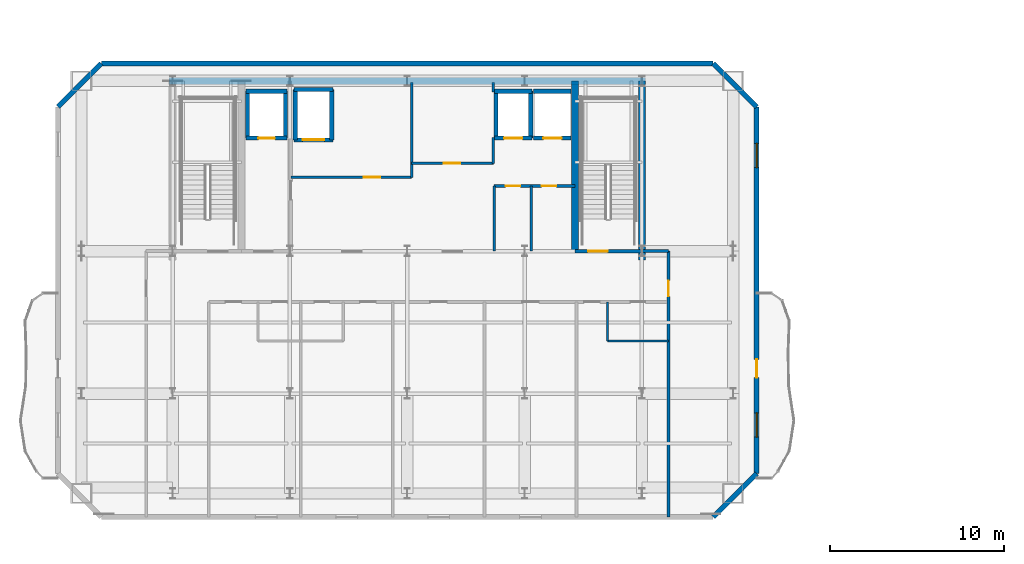
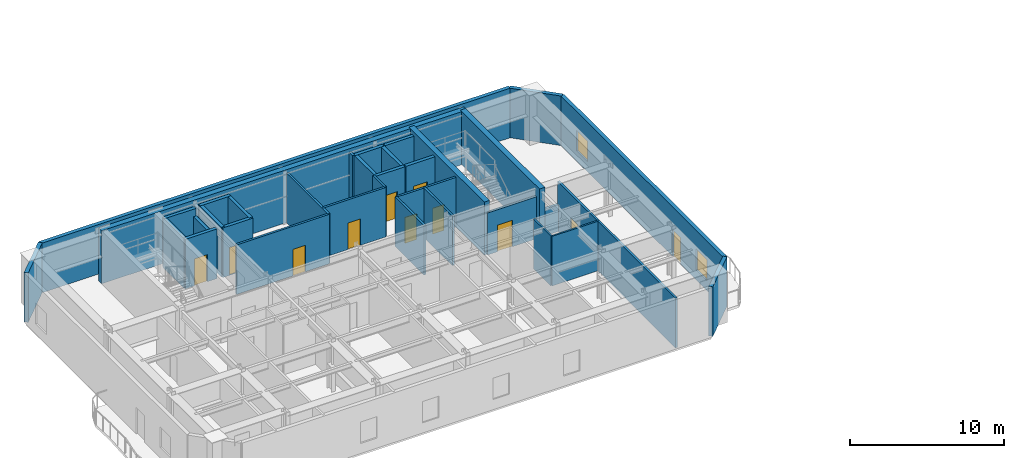
# One storey, part 11 of 16: 35 walls, 11 doors, 2 windows, 13 openings.
"""IFC4 building model written with IfcOpenShell, lengths in metres."""

import ifcopenshell
import ifcopenshell.guid

model = None  # the IFC model being written
_history = None  # IfcOwnerHistory: only IFC2X3 demands one
_inside = {}  # id of a spatial element -> (the spatial element, [elements in it])
_under = {}  # id of a project, library or spatial element -> (it, [spatial elements below it])
_declared = {}  # id of a project -> (the project, [libraries it declares])
_typed = {}  # id of a type object -> (the type object, [elements of that type])
_made_of = {}  # id of a material, layer set ... -> (it, [elements and type objects made of it])


def new_model(schema):
    """Start an empty IFC model of exactly this schema.

    Asked for "IFC4X3", IfcOpenShell would pick the latest addendum, in which some entities
    have other attributes; the version numbers below select the first issue.
    IFC2X3 requires an IfcOwnerHistory on every rooted entity: one is made here for all.
    """
    global model, _history
    if schema == "IFC4X3":
        model = ifcopenshell.file(schema_version=(4, 3, 0, 0))
    else:
        model = ifcopenshell.file(schema=schema)
    _inside.clear()
    _under.clear()
    _declared.clear()
    _typed.clear()
    _made_of.clear()
    _history = None
    if model.schema == "IFC2X3":
        org = make("IfcOrganization", Name="unknown")
        user = make(
            "IfcPersonAndOrganization",
            ThePerson=make("IfcPerson", FamilyName="unknown"),
            TheOrganization=org,
        )
        app = make(
            "IfcApplication",
            ApplicationDeveloper=org,
            Version="unknown",
            ApplicationFullName="unknown",
            ApplicationIdentifier="unknown",
        )
        _history = make(
            "IfcOwnerHistory",
            OwningUser=user,
            OwningApplication=app,
            ChangeAction="ADDED",
            CreationDate=0,
        )
    return model


def make(cls, **values):
    """One entity of the class cls with the attributes given. An attribute that is None is left unset."""
    return model.create_entity(
        cls, **{name: value for name, value in values.items() if value is not None}
    )


def rooted(cls, **values):
    """An entity with a GlobalId (a new one), such as an element, a storey or a relation."""
    return make(cls, GlobalId=ifcopenshell.guid.new(), OwnerHistory=_history, **values)


def si_unit(unit_type, name, prefix=None):
    """IfcSIUnit, for example si_unit("LENGTHUNIT", "METRE", prefix="MILLI")."""
    return make("IfcSIUnit", UnitType=unit_type, Prefix=prefix, Name=name)


def assignment(units):
    """IfcUnitAssignment: the units of a project."""
    return None if units is None else make("IfcUnitAssignment", Units=units)


def point(xyz):
    """IfcCartesianPoint."""
    return None if xyz is None else make("IfcCartesianPoint", Coordinates=xyz)


def direction(xyz):
    """IfcDirection."""
    return None if xyz is None else make("IfcDirection", DirectionRatios=xyz)


def frame(location, z_axis=None, x_axis=None):
    """IfcAxis2Placement3D, a coordinate frame: its origin and axes. An axis left out is left unset."""
    return make(
        "IfcAxis2Placement3D",
        Location=point(location),
        Axis=direction(z_axis),
        RefDirection=direction(x_axis),
    )


def frame_2d(location, x_axis=None):
    """IfcAxis2Placement2D, a coordinate frame in the plane: its origin and x axis."""
    return make(
        "IfcAxis2Placement2D", Location=point(location), RefDirection=direction(x_axis)
    )


def origin():
    """The frame at (0, 0, 0) with its axes left unset."""
    return frame((0.0, 0.0, 0.0))


def place(relative_to, where):
    """IfcLocalPlacement: puts the frame where relative to a parent placement (None: the world)."""
    return make(
        "IfcLocalPlacement", PlacementRelTo=relative_to, RelativePlacement=where
    )


def context(
    kind, dimensions, precision=None, world=None, true_north=None, identifier=None
):
    """IfcGeometricRepresentationContext, for example the 3D "Model" context."""
    return make(
        "IfcGeometricRepresentationContext",
        ContextIdentifier=identifier,
        ContextType=kind,
        CoordinateSpaceDimension=dimensions,
        Precision=precision,
        WorldCoordinateSystem=world,
        TrueNorth=true_north,
    )


def subcontext(parent, identifier, kind, view, scale=None):
    """IfcGeometricRepresentationSubContext, for example "Body" below "Model"."""
    return make(
        "IfcGeometricRepresentationSubContext",
        ContextIdentifier=identifier,
        ContextType=kind,
        ParentContext=parent,
        TargetScale=scale,
        TargetView=view,
    )


def project(units=None, contexts=None):
    """IfcProject with its units and contexts."""
    return rooted(
        "IfcProject",
        Name="project",
        RepresentationContexts=contexts,
        UnitsInContext=assignment(units),
    )


def spatial(cls, under=None, at=None, **own):
    """A site, building, storey or space (cls), placed at a placement, below another one or the project."""
    s = rooted(cls, ObjectPlacement=at, **own)
    if under is not None:
        _under.setdefault(under.id(), (under, []))[1].append(s)
    return s


def profile(cls, at=None, kind="AREA", **sizes):
    """A parametric profile (cls). Its sizes go by their IFC names, for example OverallWidth=200.0."""
    return make(cls, ProfileType=kind, Position=at, **sizes)


def rectangle(**sizes):
    """IfcRectangleProfileDef."""
    return profile("IfcRectangleProfileDef", **sizes)


def extrude(swept, where, along, depth):
    """IfcExtrudedAreaSolid: the profile swept, set in the frame where, extruded along a direction by depth."""
    return make(
        "IfcExtrudedAreaSolid",
        SweptArea=swept,
        Position=where,
        ExtrudedDirection=direction(along),
        Depth=depth,
    )


def shape(context_of_items, identifier, shape_type, items):
    """IfcShapeRepresentation: the items that make up one representation, for example the "Body"."""
    return make(
        "IfcShapeRepresentation",
        ContextOfItems=context_of_items,
        RepresentationIdentifier=identifier,
        RepresentationType=shape_type,
        Items=items,
    )


def material(Name=None, Category=None):
    """IfcMaterial."""
    return make("IfcMaterial", Name=Name, Category=Category)


def layer(
    of_material, thickness, ventilated=None, Name=None, Category=None, Priority=None
):
    """IfcMaterialLayer: one layer of a wall or slab, of a material (None: an air gap)."""
    return make(
        "IfcMaterialLayer",
        Material=of_material,
        LayerThickness=thickness,
        IsVentilated=ventilated,
        Name=Name,
        Category=Category,
        Priority=Priority,
    )


def layer_set(layers, Name=None):
    """IfcMaterialLayerSet."""
    return make("IfcMaterialLayerSet", MaterialLayers=layers, LayerSetName=Name)


def made_of(thing, what):
    """Note that an element or type object is made of a material, layer set ...; save() writes the relation."""
    if what is not None:
        _made_of.setdefault(what.id(), (what, []))[1].append(thing)
    return thing


def type_object(cls, material=None, **own):
    """A type object (cls), such as IfcWallType, which elements share."""
    return made_of(rooted(cls, **own), material)


def element(
    cls,
    number,
    at=None,
    inside=None,
    cuts=None,
    type_object=None,
    material=None,
    context=None,
    identifier="Body",
    shape_type=None,
    held_by="IfcProductDefinitionShape",
    body=None,
    shapes=None,
    **own,
):
    """One element of the class cls, such as IfcWall. Its Tag is "e" and its number.

    at: its placement. inside: the storey or other place that contains it. cuts: it is an
    opening in that element (IfcRelVoidsElement). A single representation is given by context,
    identifier, shape_type and body (its items); several are given by shapes. held_by: the class
    of the entity that holds the representations. save() writes the other relations.
    """
    e = rooted(cls, Tag="e%d" % number, ObjectPlacement=at, **own)
    if body is not None:
        shapes = [shape(context, identifier, shape_type, body)]
    if shapes is not None:
        e.Representation = make(held_by, Representations=shapes)
    if inside is not None:
        _inside.setdefault(inside.id(), (inside, []))[1].append(e)
    if cuts is not None:
        rooted(
            "IfcRelVoidsElement", RelatingBuildingElement=cuts, RelatedOpeningElement=e
        )
    if type_object is not None:
        _typed.setdefault(type_object.id(), (type_object, []))[1].append(e)
    return made_of(e, material)


def fill(opening, filler):
    """IfcRelFillsElement: the door or window that sits in an opening."""
    return rooted(
        "IfcRelFillsElement",
        RelatingOpeningElement=opening,
        RelatedBuildingElement=filler,
    )


def aggregate(whole, parts):
    """IfcRelAggregates: a whole, such as a stair, and the parts it consists of."""
    return rooted("IfcRelAggregates", RelatingObject=whole, RelatedObjects=parts)


def save(model, path):
    """Write the relations noted so far, then the file.

    IfcRelAggregates (storeys below a building ...), IfcRelContainedInSpatialStructure (elements
    in a storey), IfcRelDefinesByType, IfcRelAssociatesMaterial and IfcRelDeclares: one each for
    every whole, place, type object, material and project.
    """
    for whole, parts in _under.values():
        aggregate(whole, parts)
    for where, things in _inside.values():
        rooted(
            "IfcRelContainedInSpatialStructure",
            RelatedElements=things,
            RelatingStructure=where,
        )
    for kind, things in _typed.values():
        rooted("IfcRelDefinesByType", RelatedObjects=things, RelatingType=kind)
    for what, things in _made_of.values():
        rooted("IfcRelAssociatesMaterial", RelatedObjects=things, RelatingMaterial=what)
    for by, libraries in _declared.values():
        rooted("IfcRelDeclares", RelatingContext=by, RelatedDefinitions=libraries)
    model.write(path)


model = new_model("IFC4")

# Units and contexts
model_context = context("Model", 3, precision=1e-05, world=origin(), true_north=direction((0.0, 1.0)))
body_context = subcontext(model_context, "Body", "Model", "MODEL_VIEW")
ifc_project = project(units=[si_unit("LENGTHUNIT", "METRE"), si_unit("AREAUNIT", "SQUARE_METRE"), si_unit("VOLUMEUNIT", "CUBIC_METRE"), si_unit("PLANEANGLEUNIT", "RADIAN"), si_unit("MASSUNIT", "GRAM", prefix="KILO")], contexts=[model_context])

# Site, building, storey
site_placement = place(None, origin())
site = spatial("IfcSite", under=ifc_project, at=site_placement, CompositionType="ELEMENT")
building_placement = place(site_placement, origin())
building = spatial("IfcBuilding", under=site, at=building_placement, Name="Haevon Station Towers", CompositionType="ELEMENT")
storey_placement = place(building_placement, frame((0.0, 0.0, 235.199951171875)))
storey = spatial("IfcBuildingStorey", under=building, at=storey_placement, Name="L65", CompositionType="ELEMENT", Elevation=235.199951171875)

# Wall
ifc_material_1 = material(Name="Gypsum board on steel stud", Category="steel")
ifc_layer_1 = layer(ifc_material_1, 0.179931640625)
ifc_layer_set_1 = layer_set([ifc_layer_1], Name="Gypsum board on steel stud")
wall_type_1 = type_object("IfcWallType", Name="WL-ACU180", PredefinedType="PARTITIONING", material=ifc_layer_set_1)
wall_1_placement = place(storey_placement, frame((51.0, 38.199951171875, 0.0), z_axis=(0.0, 0.0, 1.0), x_axis=(1.0, 0.0, 0.0)))
element("IfcWall", 1, at=wall_1_placement, inside=storey, type_object=wall_type_1, Name="WL-T1PT-L65-03", PredefinedType="PARTITIONING", context=body_context, shape_type="SweptSolid", body=[
    extrude(rectangle(XDim=1.52490234375, YDim=0.179931640625, at=frame_2d((0.762451171875, 0.0))), origin(), (0.0, 0.0, 1.0), 2.130126953125),
])

# Wall, opening, door
ifc_layer_2 = layer(ifc_material_1, 0.199951171875)
ifc_layer_set_2 = layer_set([ifc_layer_2], Name="Gypsum board on steel stud")
wall_type_2 = type_object("IfcWallType", Name="WL-COR200", PredefinedType="PARTITIONING", material=ifc_layer_set_2)
wall_2_placement = place(storey_placement, frame((47.14990234375, 38.199951171875, 0.0), z_axis=(0.0, 0.0, 1.0), x_axis=(1.0, 0.0, 0.0)))
wall_2 = element("IfcWall", 2, at=wall_2_placement, inside=storey, type_object=wall_type_2, Name="WL-ST-ST2-L65", PredefinedType="PARTITIONING", context=body_context, shape_type="SweptSolid", body=[
    extrude(rectangle(XDim=3.85009765625, YDim=0.199951171875, at=frame_2d((1.925048828125, 0.0))), origin(), (0.0, 0.0, 1.0), 3.330078125),
])
opening_1_placement = place(wall_2_placement, frame((0.75, 0.0, 0.0)))
opening_1 = element("IfcOpeningElement", 3, at=opening_1_placement, cuts=wall_2, Name="Opening DR-ST-ST2-L65", PredefinedType="OPENING", context=body_context, shape_type="SweptSolid", body=[
    extrude(rectangle(XDim=1.1201171875, YDim=2.10009765625, at=frame_2d((0.56005859375, 1.050048828125))), frame((0.0, 0.10986328125, 0.0), z_axis=(0.0, -1.0, 0.0), x_axis=(1.0, 0.0, 0.0)), (0.0, 0.0, 1.0), 0.219970703125),
])
ifc_material_2 = material(Name="Engineered oak timber", Category="wood")
door_type_1 = type_object("IfcDoorType", Name="DR-ST-1120", OperationType="NOTDEFINED", PredefinedType="DOOR", material=ifc_material_2)
door_1_placement = place(opening_1_placement, origin())
door_1 = element("IfcDoor", 4, at=door_1_placement, inside=storey, type_object=door_type_1, Name="L65 Escape Stair ST2 Fire Door", OperationType="SINGLE_SWING_RIGHT", OverallHeight=2.10009765625, OverallWidth=1.1201171875, PredefinedType="DOOR", context=body_context, shape_type="SweptSolid", body=[
    extrude(rectangle(XDim=1.1201171875, YDim=2.10009765625, at=frame_2d((0.56005859375, 1.050048828125))), frame((0.0, 0.02490234375, 0.0), z_axis=(0.0, -1.0, 0.0), x_axis=(1.0, 0.0, 0.0)), (0.0, 0.0, 1.0), 0.050048828125),
])
fill(opening_1, door_1)

# Walls
ifc_material_3 = material(Name="Concrete C60/75", Category="concrete")
ifc_layer_3 = layer(ifc_material_3, 0.39990234375)
ifc_layer_set_3 = layer_set([ifc_layer_3], Name="Concrete C60/75")
wall_type_3 = type_object("IfcWallType", Name="WL-CR400", PredefinedType="SHEAR", material=ifc_layer_set_3)
wall_3_placement = place(storey_placement, frame((23.800048828125, 48.0, 0.0), z_axis=(0.0, 0.0, 1.0), x_axis=(1.0, 0.0, 0.0)))
element("IfcWall", 5, at=wall_3_placement, inside=storey, type_object=wall_type_3, Name="WL-T1CR-L65-N", PredefinedType="SHEAR", context=body_context, shape_type="SweptSolid", body=[
    extrude(rectangle(XDim=27.39990234375, YDim=0.39990234375, at=frame_2d((13.699951171875, 0.0))), origin(), (0.0, 0.0, 1.0), 4.199951171875),
])
wall_4_placement = place(storey_placement, frame((51.0, 37.679931640625, 0.0), z_axis=(0.0, 0.0, 1.0), x_axis=(0.0, 1.0, 0.0)))
element("IfcWall", 6, at=wall_4_placement, inside=storey, type_object=wall_type_3, Name="WL-T1CR-L65-E", PredefinedType="SHEAR", context=body_context, shape_type="SweptSolid", body=[
    extrude(rectangle(XDim=10.320068359375, YDim=0.39990234375, at=frame_2d((5.16015625, 0.0))), origin(), (0.0, 0.0, 1.0), 4.199951171875),
])
wall_5_placement = place(storey_placement, frame((47.14990234375, 38.199951171875, 0.0), z_axis=(0.0, 0.0, 1.0), x_axis=(0.0, 1.0, 0.0)))
element("IfcWall", 7, at=wall_5_placement, inside=storey, type_object=wall_type_3, Name="WL-T1CR-L65-M2", PredefinedType="SHEAR", context=body_context, shape_type="SweptSolid", body=[
    extrude(rectangle(XDim=9.800048828125, YDim=0.39990234375, at=frame_2d((4.89990234375, 0.0))), origin(), (0.0, 0.0, 1.0), 4.199951171875),
])
ifc_material_4 = material(Name="Precast concrete C45/55", Category="concrete")
ifc_layer_4 = layer(ifc_material_4, 0.280029296875)
ifc_layer_set_4 = layer_set([ifc_layer_4], Name="Precast concrete C45/55")
wall_type_4 = type_object("IfcWallType", Name="WL-EXT-PIER280", PredefinedType="SOLIDWALL", material=ifc_layer_set_4)
wall_6_placement = place(storey_placement, frame((17.39990234375, 46.5, 0.0), z_axis=(0.0, 0.0, 1.0), x_axis=(0.707106781187, 0.707106781187, 0.0)))
element("IfcWall", 8, at=wall_6_placement, inside=storey, type_object=wall_type_4, Name="WL-T1-L65-NWC", PredefinedType="SOLIDWALL", context=body_context, shape_type="SweptSolid", body=[
    extrude(rectangle(XDim=3.53564453125, YDim=0.280029296875, at=frame_2d((1.767822265625, 0.0))), origin(), (0.0, 0.0, 1.0), 3.929931640625),
])
wall_7_placement = place(storey_placement, frame((19.89990234375, 49.0, 0.0), z_axis=(0.0, 0.0, 1.0), x_axis=(1.0, 0.0, 0.0)))
element("IfcWall", 9, at=wall_7_placement, inside=storey, type_object=wall_type_4, Name="WL-T1-L65-N", PredefinedType="SOLIDWALL", context=body_context, shape_type="SweptSolid", body=[
    extrude(rectangle(XDim=35.2001953125, YDim=0.280029296875, at=frame_2d((17.60009765625, 0.0))), origin(), (0.0, 0.0, 1.0), 3.929931640625),
])
wall_8_placement = place(storey_placement, frame((55.10009765625, 49.0, 0.0), z_axis=(0.0, 0.0, 1.0), x_axis=(0.707106781187, -0.707106781187, 0.0)))
element("IfcWall", 10, at=wall_8_placement, inside=storey, type_object=wall_type_4, Name="WL-T1-L65-NEC", PredefinedType="SOLIDWALL", context=body_context, shape_type="SweptSolid", body=[
    extrude(rectangle(XDim=3.53564453125, YDim=0.280029296875, at=frame_2d((1.767822265625, 0.0))), origin(), (0.0, 0.0, 1.0), 3.929931640625),
])

# Wall, openings, door, windows
wall_9_placement = place(storey_placement, frame((57.60009765625, 46.5, 0.0), z_axis=(0.0, 0.0, 1.0), x_axis=(0.0, -1.0, 0.0)))
wall_9 = element("IfcWall", 11, at=wall_9_placement, inside=storey, type_object=wall_type_4, Name="WL-T1-L65-E", PredefinedType="SOLIDWALL", context=body_context, shape_type="SweptSolid", body=[
    extrude(rectangle(XDim=21.10009765625, YDim=0.280029296875, at=frame_2d((10.550048828125, 0.0))), origin(), (0.0, 0.0, 1.0), 3.929931640625),
])
opening_2_placement = place(wall_9_placement, frame((14.52490234375, 0.0, 0.0)))
opening_2 = element("IfcOpeningElement", 12, at=opening_2_placement, cuts=wall_9, Name="Opening DR-T1-SCAL-L65-E", PredefinedType="OPENING", context=body_context, shape_type="SweptSolid", body=[
    extrude(rectangle(XDim=1.050048828125, YDim=2.10009765625, at=frame_2d((0.52490234375, 1.050048828125))), frame((0.0, 0.14990234375, 0.0), z_axis=(0.0, -1.0, 0.0), x_axis=(1.0, 0.0, 0.0)), (0.0, 0.0, 1.0), 0.300048828125),
])
opening_3_placement = place(wall_9_placement, frame((2.093017578125, 0.0, 0.800048828125)))
opening_3 = element("IfcOpeningElement", 13, at=opening_3_placement, cuts=wall_9, Name="Opening WN-END140", PredefinedType="OPENING", context=body_context, shape_type="SweptSolid", body=[
    extrude(rectangle(XDim=1.39990234375, YDim=1.64990234375, at=frame_2d((0.699951171875, 0.824951171875))), frame((0.0, 0.14990234375, 0.0), z_axis=(0.0, -1.0, 0.0), x_axis=(1.0, 0.0, 0.0)), (0.0, 0.0, 1.0), 0.300048828125),
])
opening_4_placement = place(wall_9_placement, frame((17.607177734375, 0.0, 0.800048828125)))
opening_4 = element("IfcOpeningElement", 14, at=opening_4_placement, cuts=wall_9, Name="Opening WN-END140", PredefinedType="OPENING", context=body_context, shape_type="SweptSolid", body=[
    extrude(rectangle(XDim=1.39990234375, YDim=1.64990234375, at=frame_2d((0.699951171875, 0.824951171875))), frame((0.0, 0.14990234375, 0.0), z_axis=(0.0, -1.0, 0.0), x_axis=(1.0, 0.0, 0.0)), (0.0, 0.0, 1.0), 0.300048828125),
])
ifc_material_5 = material(Name="Thermally broken anodised aluminium and laminated safety glass", Category="aluminium")
door_type_2 = type_object("IfcDoorType", Name="DR-BALC-1050", OperationType="NOTDEFINED", PredefinedType="DOOR", material=ifc_material_5)
door_2_placement = place(opening_2_placement, origin())
door_2 = element("IfcDoor", 15, at=door_2_placement, inside=storey, type_object=door_type_2, Name="Tower 1 L65 East Scalloped Balcony Door", OperationType="SINGLE_SWING_LEFT", OverallHeight=2.10009765625, OverallWidth=1.050048828125, PredefinedType="DOOR", context=body_context, shape_type="SweptSolid", body=[
    extrude(rectangle(XDim=1.050048828125, YDim=2.10009765625, at=frame_2d((0.52490234375, 1.050048828125))), frame((0.0, 0.02490234375, 0.0), z_axis=(0.0, -1.0, 0.0), x_axis=(1.0, 0.0, 0.0)), (0.0, 0.0, 1.0), 0.050048828125),
])
fill(opening_2, door_2)
ifc_material_6 = material(Name="Low-E triple glazing in thermally broken aluminium", Category="aluminium")
window_type = type_object("IfcWindowType", Name="WN-END140", PartitioningType="SINGLE_PANEL", PredefinedType="WINDOW", material=ifc_material_6)
window_1_placement = place(opening_3_placement, origin())
window_1 = element("IfcWindow", 16, at=window_1_placement, inside=storey, type_object=window_type, Name="WN-T1-L65-E01", OverallHeight=1.64990234375, OverallWidth=1.39990234375, PartitioningType="SINGLE_PANEL", PredefinedType="WINDOW", context=body_context, shape_type="SweptSolid", body=[
    extrude(rectangle(XDim=1.39990234375, YDim=1.64990234375, at=frame_2d((0.699951171875, 0.824951171875))), frame((0.0, 0.030029296875, 0.0), z_axis=(0.0, -1.0, 0.0), x_axis=(1.0, 0.0, 0.0)), (0.0, 0.0, 1.0), 0.06005859375),
])
fill(opening_3, window_1)
window_2_placement = place(opening_4_placement, origin())
window_2 = element("IfcWindow", 17, at=window_2_placement, inside=storey, type_object=window_type, Name="WN-T1-L65-E02", OverallHeight=1.64990234375, OverallWidth=1.39990234375, PartitioningType="SINGLE_PANEL", PredefinedType="WINDOW", context=body_context, shape_type="SweptSolid", body=[
    extrude(rectangle(XDim=1.39990234375, YDim=1.64990234375, at=frame_2d((0.699951171875, 0.824951171875))), frame((0.0, 0.030029296875, 0.0), z_axis=(0.0, -1.0, 0.0), x_axis=(1.0, 0.0, 0.0)), (0.0, 0.0, 1.0), 0.06005859375),
])
fill(opening_4, window_2)

# Walls
wall_10_placement = place(storey_placement, frame((57.60009765625, 25.39990234375, 0.0), z_axis=(0.0, 0.0, 1.0), x_axis=(-0.707106781187, -0.707106781187, 0.0)))
element("IfcWall", 18, at=wall_10_placement, inside=storey, type_object=wall_type_4, Name="WL-T1-L65-SEC", PredefinedType="SOLIDWALL", context=body_context, shape_type="SweptSolid", body=[
    extrude(rectangle(XDim=3.53564453125, YDim=0.280029296875, at=frame_2d((1.767822265625, 0.0))), origin(), (0.0, 0.0, 1.0), 3.929931640625),
])
ifc_layer_5 = layer(ifc_material_1, 0.125)
ifc_layer_set_5 = layer_set([ifc_layer_5], Name="Gypsum board on steel stud")
wall_type_5 = type_object("IfcWallType", Name="WL-PRT125", PredefinedType="PARTITIONING", material=ifc_layer_set_5)
wall_11_placement = place(storey_placement, frame((49.01611328125, 33.030029296875, 0.0), z_axis=(0.0, 0.0, 1.0), x_axis=(1.0, 0.0, 0.0)))
element("IfcWall", 19, at=wall_11_placement, inside=storey, type_object=wall_type_5, Name="WL-T1PT-L65-14", PredefinedType="PARTITIONING", context=body_context, shape_type="SweptSolid", body=[
    extrude(rectangle(XDim=3.5087890625, YDim=0.125, at=frame_2d((1.75439453125, 0.0))), origin(), (0.0, 0.0, 1.0), 3.929931640625),
])
wall_12_placement = place(storey_placement, frame((49.01611328125, 33.030029296875, 0.0), z_axis=(0.0, 0.0, 1.0), x_axis=(0.0, 1.0, 0.0)))
element("IfcWall", 20, at=wall_12_placement, inside=storey, type_object=wall_type_5, Name="WL-T1PT-L65-15", PredefinedType="PARTITIONING", context=body_context, shape_type="SweptSolid", body=[
    extrude(rectangle(XDim=2.25, YDim=0.125, at=frame_2d((1.125, 0.0))), origin(), (0.0, 0.0, 1.0), 3.929931640625),
])

# Wall, opening, door
ifc_layer_6 = layer(ifc_material_1, 0.159912109375)
ifc_layer_set_6 = layer_set([ifc_layer_6], Name="Gypsum board on steel stud")
wall_type_6 = type_object("IfcWallType", Name="WL-PRT160", PredefinedType="PARTITIONING", material=ifc_layer_set_6)
wall_13_placement = place(storey_placement, frame((30.800048828125, 42.449951171875, 0.0), z_axis=(0.0, 0.0, 1.0), x_axis=(1.0, 0.0, 0.0)))
wall_13 = element("IfcWall", 21, at=wall_13_placement, inside=storey, type_object=wall_type_6, Name="WL-T1CW-L65-01", PredefinedType="PARTITIONING", context=body_context, shape_type="SweptSolid", body=[
    extrude(rectangle(XDim=6.949951171875, YDim=0.159912109375, at=frame_2d((3.47509765625, 0.0))), origin(), (0.0, 0.0, 1.0), 3.929931640625),
])
opening_5_placement = place(wall_13_placement, frame((4.199951171875, 0.0, 0.0)))
opening_5 = element("IfcOpeningElement", 22, at=opening_5_placement, cuts=wall_13, Name="Opening DR-WL-T1CW-L65-01-1", PredefinedType="OPENING", context=body_context, shape_type="SweptSolid", body=[
    extrude(rectangle(XDim=0.949951171875, YDim=2.10009765625, at=frame_2d((0.47509765625, 1.050048828125))), frame((0.0, 0.08984375, 0.0), z_axis=(0.0, -1.0, 0.0), x_axis=(1.0, 0.0, 0.0)), (0.0, 0.0, 1.0), 0.179931640625),
])
door_type_3 = type_object("IfcDoorType", Name="DR-FD60-950", OperationType="NOTDEFINED", PredefinedType="DOOR", material=ifc_material_2)
door_3_placement = place(opening_5_placement, origin())
door_3 = element("IfcDoor", 23, at=door_3_placement, inside=storey, type_object=door_type_3, Name="L65 Tower 1 Core Room Door 1-1", OperationType="SINGLE_SWING_LEFT", OverallHeight=2.10009765625, OverallWidth=0.949951171875, PredefinedType="DOOR", context=body_context, shape_type="SweptSolid", body=[
    extrude(rectangle(XDim=0.949951171875, YDim=2.10009765625, at=frame_2d((0.47509765625, 1.050048828125))), frame((0.0, 0.02490234375, 0.0), z_axis=(0.0, -1.0, 0.0), x_axis=(1.0, 0.0, 0.0)), (0.0, 0.0, 1.0), 0.050048828125),
])
fill(opening_5, door_3)

# Wall
wall_14_placement = place(storey_placement, frame((37.75, 42.449951171875, 0.0), z_axis=(0.0, 0.0, 1.0), x_axis=(0.0, 1.0, 0.0)))
element("IfcWall", 24, at=wall_14_placement, inside=storey, type_object=wall_type_6, Name="WL-T1CW-L65-02", PredefinedType="PARTITIONING", context=body_context, shape_type="SweptSolid", body=[
    extrude(rectangle(XDim=5.449951171875, YDim=0.159912109375, at=frame_2d((2.72509765625, 0.0))), origin(), (0.0, 0.0, 1.0), 3.929931640625),
])

# Wall, opening, door
wall_15_placement = place(storey_placement, frame((37.75, 43.25, 0.0), z_axis=(0.0, 0.0, 1.0), x_axis=(1.0, 0.0, 0.0)))
wall_15 = element("IfcWall", 25, at=wall_15_placement, inside=storey, type_object=wall_type_6, Name="WL-T1CW-L65-03", PredefinedType="PARTITIONING", context=body_context, shape_type="SweptSolid", body=[
    extrude(rectangle(XDim=4.699951171875, YDim=0.159912109375, at=frame_2d((2.35009765625, 0.0))), origin(), (0.0, 0.0, 1.0), 3.929931640625),
])
opening_6_placement = place(wall_15_placement, frame((1.85009765625, 0.0, 0.0)))
opening_6 = element("IfcOpeningElement", 26, at=opening_6_placement, cuts=wall_15, Name="Opening DR-WL-T1CW-L65-03-1", PredefinedType="OPENING", context=body_context, shape_type="SweptSolid", body=[
    extrude(rectangle(XDim=0.949951171875, YDim=2.10009765625, at=frame_2d((0.47509765625, 1.050048828125))), frame((0.0, 0.08984375, 0.0), z_axis=(0.0, -1.0, 0.0), x_axis=(1.0, 0.0, 0.0)), (0.0, 0.0, 1.0), 0.179931640625),
])
door_4_placement = place(opening_6_placement, origin())
door_4 = element("IfcDoor", 27, at=door_4_placement, inside=storey, type_object=door_type_3, Name="L65 Tower 1 Core Room Door 3-1", OperationType="SINGLE_SWING_RIGHT", OverallHeight=2.10009765625, OverallWidth=0.949951171875, PredefinedType="DOOR", context=body_context, shape_type="SweptSolid", body=[
    extrude(rectangle(XDim=0.949951171875, YDim=2.10009765625, at=frame_2d((0.47509765625, 1.050048828125))), frame((0.0, 0.02490234375, 0.0), z_axis=(0.0, -1.0, 0.0), x_axis=(1.0, 0.0, 0.0)), (0.0, 0.0, 1.0), 0.050048828125),
])
fill(opening_6, door_4)

# Walls
wall_16_placement = place(storey_placement, frame((42.449951171875, 43.25, 0.0), z_axis=(0.0, 0.0, 1.0), x_axis=(0.0, 1.0, 0.0)))
element("IfcWall", 28, at=wall_16_placement, inside=storey, type_object=wall_type_6, Name="WL-T1CW-L65-04", PredefinedType="PARTITIONING", context=body_context, shape_type="SweptSolid", body=[
    extrude(rectangle(XDim=1.5, YDim=0.159912109375, at=frame_2d((0.75, 0.0))), origin(), (0.0, 0.0, 1.0), 3.929931640625),
])
wall_17_placement = place(storey_placement, frame((42.449951171875, 47.35009765625, 0.0), z_axis=(0.0, 0.0, 1.0), x_axis=(0.0, 1.0, 0.0)))
element("IfcWall", 29, at=wall_17_placement, inside=storey, type_object=wall_type_6, Name="WL-T1CW-L65-05", PredefinedType="PARTITIONING", context=body_context, shape_type="SweptSolid", body=[
    extrude(rectangle(XDim=0.5498046875, YDim=0.159912109375, at=frame_2d((0.27490234375, 0.0))), origin(), (0.0, 0.0, 1.0), 3.929931640625),
])
for number, where, z_axis, x_axis, name in (
    (30, (42.5, 38.199951171875, 0.0), (0.0, 0.0, 1.0), (0.0, 1.0, 0.0), "WL-T1CW-L65-06"),
    (31, (44.6298828125, 38.199951171875, 0.0), (0.0, 0.0, 1.0), (0.0, 1.0, 0.0), "WL-T1CW-L65-07"),
):
    element("IfcWall", number, at=place(storey_placement, frame(where, z_axis=z_axis, x_axis=x_axis)), inside=storey, type_object=wall_type_6, Name=name, PredefinedType="PARTITIONING", context=body_context, shape_type="SweptSolid", body=[
        extrude(rectangle(XDim=3.75, YDim=0.159912109375, at=frame_2d((1.875, 0.0))), origin(), (0.0, 0.0, 1.0), 3.929931640625),
    ])

# Wall, openings, doors
wall_18_placement = place(storey_placement, frame((42.5, 41.949951171875, 0.0), z_axis=(0.0, 0.0, 1.0), x_axis=(1.0, 0.0, 0.0)))
wall_18 = element("IfcWall", 32, at=wall_18_placement, inside=storey, type_object=wall_type_6, Name="WL-T1CW-L65-08", PredefinedType="PARTITIONING", context=body_context, shape_type="SweptSolid", body=[
    extrude(rectangle(XDim=4.64990234375, YDim=0.159912109375, at=frame_2d((2.324951171875, 0.0))), origin(), (0.0, 0.0, 1.0), 3.929931640625),
])
opening_7_placement = place(wall_18_placement, frame((0.659912109375, 0.0, 0.0)))
opening_7 = element("IfcOpeningElement", 33, at=opening_7_placement, cuts=wall_18, Name="Opening DR-WL-T1CW-L65-08-1", PredefinedType="OPENING", context=body_context, shape_type="SweptSolid", body=[
    extrude(rectangle(XDim=0.85009765625, YDim=2.050048828125, at=frame_2d((0.425048828125, 1.02490234375))), frame((0.0, 0.08984375, 0.0), z_axis=(0.0, -1.0, 0.0), x_axis=(1.0, 0.0, 0.0)), (0.0, 0.0, 1.0), 0.179931640625),
])
opening_8_placement = place(wall_18_placement, frame((2.72998046875, 0.0, 0.0)))
opening_8 = element("IfcOpeningElement", 34, at=opening_8_placement, cuts=wall_18, Name="Opening DR-WL-T1CW-L65-08-2", PredefinedType="OPENING", context=body_context, shape_type="SweptSolid", body=[
    extrude(rectangle(XDim=0.85009765625, YDim=2.050048828125, at=frame_2d((0.425048828125, 1.02490234375))), frame((0.0, 0.08984375, 0.0), z_axis=(0.0, -1.0, 0.0), x_axis=(1.0, 0.0, 0.0)), (0.0, 0.0, 1.0), 0.179931640625),
])
door_type_4 = type_object("IfcDoorType", Name="DR-FD30-850", OperationType="NOTDEFINED", PredefinedType="DOOR", material=ifc_material_2)
door_5_placement = place(opening_7_placement, origin())
door_5 = element("IfcDoor", 35, at=door_5_placement, inside=storey, type_object=door_type_4, Name="L65 Tower 1 Core Room Door 8-1", OperationType="SINGLE_SWING_LEFT", OverallHeight=2.050048828125, OverallWidth=0.85009765625, PredefinedType="DOOR", context=body_context, shape_type="SweptSolid", body=[
    extrude(rectangle(XDim=0.85009765625, YDim=2.050048828125, at=frame_2d((0.425048828125, 1.02490234375))), frame((0.0, 0.02490234375, 0.0), z_axis=(0.0, -1.0, 0.0), x_axis=(1.0, 0.0, 0.0)), (0.0, 0.0, 1.0), 0.050048828125),
])
fill(opening_7, door_5)
door_6_placement = place(opening_8_placement, origin())
door_6 = element("IfcDoor", 36, at=door_6_placement, inside=storey, type_object=door_type_4, Name="L65 Tower 1 Core Room Door 8-2", OperationType="SINGLE_SWING_RIGHT", OverallHeight=2.050048828125, OverallWidth=0.85009765625, PredefinedType="DOOR", context=body_context, shape_type="SweptSolid", body=[
    extrude(rectangle(XDim=0.85009765625, YDim=2.050048828125, at=frame_2d((0.425048828125, 1.02490234375))), frame((0.0, 0.02490234375, 0.0), z_axis=(0.0, -1.0, 0.0), x_axis=(1.0, 0.0, 0.0)), (0.0, 0.0, 1.0), 0.050048828125),
])
fill(opening_8, door_6)

# Wall, opening, door
wall_19_placement = place(storey_placement, frame((52.52490234375, 22.89990234375, 0.0), z_axis=(0.0, 0.0, 1.0), x_axis=(0.0, 1.0, 0.0)))
wall_19 = element("IfcWall", 37, at=wall_19_placement, inside=storey, type_object=wall_type_6, Name="WL-T1PT-L65-05", PredefinedType="PARTITIONING", context=body_context, shape_type="SweptSolid", body=[
    extrude(rectangle(XDim=15.300048828125, YDim=0.159912109375, at=frame_2d((7.64990234375, 0.0))), origin(), (0.0, 0.0, 1.0), 3.929931640625),
])
opening_9_placement = place(wall_19_placement, frame((12.699951171875, 0.0, 0.0)))
opening_9 = element("IfcOpeningElement", 38, at=opening_9_placement, cuts=wall_19, Name="Opening DR-WL-T1PT-L65-05-01", PredefinedType="OPENING", context=body_context, shape_type="SweptSolid", body=[
    extrude(rectangle(XDim=0.89990234375, YDim=2.050048828125, at=frame_2d((0.449951171875, 1.02490234375))), frame((0.0, 0.08984375, 0.0), z_axis=(0.0, -1.0, 0.0), x_axis=(1.0, 0.0, 0.0)), (0.0, 0.0, 1.0), 0.179931640625),
])
door_type_5 = type_object("IfcDoorType", Name="DR-INT-900", OperationType="NOTDEFINED", PredefinedType="DOOR", material=ifc_material_2)
door_7_placement = place(opening_9_placement, origin())
door_7 = element("IfcDoor", 39, at=door_7_placement, inside=storey, type_object=door_type_5, Name="L65 Tower 1 Room Door 5-1", OperationType="SINGLE_SWING_RIGHT", OverallHeight=2.050048828125, OverallWidth=0.89990234375, PredefinedType="DOOR", context=body_context, shape_type="SweptSolid", body=[
    extrude(rectangle(XDim=0.89990234375, YDim=2.050048828125, at=frame_2d((0.449951171875, 1.02490234375))), frame((0.0, 0.02490234375, 0.0), z_axis=(0.0, -1.0, 0.0), x_axis=(1.0, 0.0, 0.0)), (0.0, 0.0, 1.0), 0.050048828125),
])
fill(opening_9, door_7)

ifc_material_7 = material(Name="Concrete C40/50", Category="concrete")
ifc_layer_7 = layer(ifc_material_7, 0.239990234375)
ifc_layer_set_7 = layer_set([ifc_layer_7], Name="Concrete C40/50")
wall_type_7 = type_object("IfcWallType", Name="WL-SHF240", PredefinedType="PARTITIONING", material=ifc_layer_set_7)
wall_20_placement = place(storey_placement, frame((28.219970703125, 44.699951171875, 0.0), z_axis=(0.0, 0.0, 1.0), x_axis=(1.0, 0.0, 0.0)))
wall_20 = element("IfcWall", 40, at=wall_20_placement, inside=storey, type_object=wall_type_7, Name="WL-SHF-FL1-L65", PredefinedType="PARTITIONING", context=body_context, shape_type="SweptSolid", body=[
    extrude(rectangle(XDim=2.360107421875, YDim=0.239990234375, at=frame_2d((1.18017578125, 0.0))), origin(), (0.0, 0.0, 1.0), 3.929931640625),
])
opening_10_placement = place(wall_20_placement, frame((0.705078125, 0.0, 0.0)))
opening_10 = element("IfcOpeningElement", 41, at=opening_10_placement, cuts=wall_20, Name="Opening LD-FL1-L65", PredefinedType="OPENING", context=body_context, shape_type="SweptSolid", body=[
    extrude(rectangle(XDim=0.949951171875, YDim=2.14990234375, at=frame_2d((0.47509765625, 1.074951171875))), frame((0.0, 0.1298828125, 0.0), z_axis=(0.0, -1.0, 0.0), x_axis=(1.0, 0.0, 0.0)), (0.0, 0.0, 1.0), 0.260009765625),
])
ifc_material_8 = material(Name="Stainless steel and rated core", Category="steel")
door_type_6 = type_object("IfcDoorType", Name="LD-FL950", OperationType="SLIDING_TO_LEFT", PredefinedType="DOOR", material=ifc_material_8)
door_8_placement = place(opening_10_placement, origin())
door_8 = element("IfcDoor", 42, at=door_8_placement, inside=storey, type_object=door_type_6, Name="L65 Lift FL1 Sliding Landing Door", OperationType="SLIDING_TO_LEFT", OverallHeight=2.14990234375, OverallWidth=0.949951171875, PredefinedType="DOOR", context=body_context, shape_type="SweptSolid", body=[
    extrude(rectangle(XDim=0.949951171875, YDim=2.14990234375, at=frame_2d((0.47509765625, 1.074951171875))), frame((0.0, 0.02490234375, 0.0), z_axis=(0.0, -1.0, 0.0), x_axis=(1.0, 0.0, 0.0)), (0.0, 0.0, 1.0), 0.050048828125),
])
fill(opening_10, door_8)

# Walls
wall_21_placement = place(storey_placement, frame((28.219970703125, 47.39990234375, 0.0), z_axis=(0.0, 0.0, 1.0), x_axis=(1.0, 0.0, 0.0)))
element("IfcWall", 43, at=wall_21_placement, inside=storey, type_object=wall_type_7, Name="WL-SHF-FL1-L65-N", PredefinedType="PARTITIONING", context=body_context, shape_type="SweptSolid", body=[
    extrude(rectangle(XDim=2.360107421875, YDim=0.239990234375, at=frame_2d((1.18017578125, 0.0))), origin(), (0.0, 0.0, 1.0), 3.929931640625),
])
wall_22_placement = place(storey_placement, frame((28.300048828125, 44.699951171875, 0.0), z_axis=(0.0, 0.0, 1.0), x_axis=(0.0, 1.0, 0.0)))
element("IfcWall", 44, at=wall_22_placement, inside=storey, type_object=wall_type_7, Name="WL-SHF-FL1-L65-W", PredefinedType="PARTITIONING", context=body_context, shape_type="SweptSolid", body=[
    extrude(rectangle(XDim=2.699951171875, YDim=0.239990234375, at=frame_2d((1.35009765625, 0.0))), origin(), (0.0, 0.0, 1.0), 3.929931640625),
])
wall_23_placement = place(storey_placement, frame((30.5, 44.699951171875, 0.0), z_axis=(0.0, 0.0, 1.0), x_axis=(0.0, 1.0, 0.0)))
element("IfcWall", 45, at=wall_23_placement, inside=storey, type_object=wall_type_7, Name="WL-SHF-FL1-L65-E", PredefinedType="PARTITIONING", context=body_context, shape_type="SweptSolid", body=[
    extrude(rectangle(XDim=2.699951171875, YDim=0.239990234375, at=frame_2d((1.35009765625, 0.0))), origin(), (0.0, 0.0, 1.0), 3.330078125),
])

# Wall, opening, door
wall_24_placement = place(storey_placement, frame((30.969970703125, 44.60009765625, 0.0), z_axis=(0.0, 0.0, 1.0), x_axis=(1.0, 0.0, 0.0)))
wall_24 = element("IfcWall", 46, at=wall_24_placement, inside=storey, type_object=wall_type_7, Name="WL-SHF-SL1-L65", PredefinedType="PARTITIONING", context=body_context, shape_type="SweptSolid", body=[
    extrude(rectangle(XDim=2.260009765625, YDim=0.239990234375, at=frame_2d((1.1298828125, 0.0))), origin(), (0.0, 0.0, 1.0), 3.929931640625),
])
opening_11_placement = place(wall_24_placement, frame((0.5048828125, 0.0, 0.0)))
opening_11 = element("IfcOpeningElement", 47, at=opening_11_placement, cuts=wall_24, Name="Opening LD-SL1-L65", PredefinedType="OPENING", context=body_context, shape_type="SweptSolid", body=[
    extrude(rectangle(XDim=1.25, YDim=2.199951171875, at=frame_2d((0.625, 1.10009765625))), frame((0.0, 0.1298828125, 0.0), z_axis=(0.0, -1.0, 0.0), x_axis=(1.0, 0.0, 0.0)), (0.0, 0.0, 1.0), 0.260009765625),
])
door_type_7 = type_object("IfcDoorType", Name="LD-SL1250", OperationType="SLIDING_TO_LEFT", PredefinedType="DOOR", material=ifc_material_8)
door_9_placement = place(opening_11_placement, origin())
door_9 = element("IfcDoor", 48, at=door_9_placement, inside=storey, type_object=door_type_7, Name="L65 Lift SL1 Sliding Landing Door", OperationType="SLIDING_TO_LEFT", OverallHeight=2.199951171875, OverallWidth=1.25, PredefinedType="DOOR", context=body_context, shape_type="SweptSolid", body=[
    extrude(rectangle(XDim=1.25, YDim=2.199951171875, at=frame_2d((0.625, 1.10009765625))), frame((0.0, 0.02490234375, 0.0), z_axis=(0.0, -1.0, 0.0), x_axis=(1.0, 0.0, 0.0)), (0.0, 0.0, 1.0), 0.050048828125),
])
fill(opening_11, door_9)

# Walls
wall_25_placement = place(storey_placement, frame((30.969970703125, 47.5, 0.0), z_axis=(0.0, 0.0, 1.0), x_axis=(1.0, 0.0, 0.0)))
element("IfcWall", 49, at=wall_25_placement, inside=storey, type_object=wall_type_7, Name="WL-SHF-SL1-L65-N", PredefinedType="PARTITIONING", context=body_context, shape_type="SweptSolid", body=[
    extrude(rectangle(XDim=2.260009765625, YDim=0.239990234375, at=frame_2d((1.1298828125, 0.0))), origin(), (0.0, 0.0, 1.0), 3.929931640625),
])
for number, where, z_axis, x_axis, name in (
    (50, (31.050048828125, 44.60009765625, 0.0), (0.0, 0.0, 1.0), (0.0, 1.0, 0.0), "WL-SHF-SL1-L65-W"),
    (51, (33.14990234375, 44.60009765625, 0.0), (0.0, 0.0, 1.0), (0.0, 1.0, 0.0), "WL-SHF-SL1-L65-E"),
):
    element("IfcWall", number, at=place(storey_placement, frame(where, z_axis=z_axis, x_axis=x_axis)), inside=storey, type_object=wall_type_7, Name=name, PredefinedType="PARTITIONING", context=body_context, shape_type="SweptSolid", body=[
        extrude(rectangle(XDim=2.89990234375, YDim=0.239990234375, at=frame_2d((1.449951171875, 0.0))), origin(), (0.0, 0.0, 1.0), 3.929931640625),
    ])

# Wall, opening, door
wall_26_placement = place(storey_placement, frame((42.52001953125, 44.699951171875, 0.0), z_axis=(0.0, 0.0, 1.0), x_axis=(1.0, 0.0, 0.0)))
wall_26 = element("IfcWall", 52, at=wall_26_placement, inside=storey, type_object=wall_type_7, Name="WL-SHF-PL5-L65", PredefinedType="PARTITIONING", context=body_context, shape_type="SweptSolid", body=[
    extrude(rectangle(XDim=2.159912109375, YDim=0.239990234375, at=frame_2d((1.080078125, 0.0))), origin(), (0.0, 0.0, 1.0), 3.929931640625),
])
opening_12_placement = place(wall_26_placement, frame((0.554931640625, 0.0, 0.0)))
opening_12 = element("IfcOpeningElement", 53, at=opening_12_placement, cuts=wall_26, Name="Opening LD-PL5-L65", PredefinedType="OPENING", context=body_context, shape_type="SweptSolid", body=[
    extrude(rectangle(XDim=1.050048828125, YDim=2.14990234375, at=frame_2d((0.52490234375, 1.074951171875))), frame((0.0, 0.1298828125, 0.0), z_axis=(0.0, -1.0, 0.0), x_axis=(1.0, 0.0, 0.0)), (0.0, 0.0, 1.0), 0.260009765625),
])
door_type_8 = type_object("IfcDoorType", Name="LD-PL1050", OperationType="SLIDING_TO_LEFT", PredefinedType="DOOR", material=ifc_material_8)
door_10_placement = place(opening_12_placement, origin())
door_10 = element("IfcDoor", 54, at=door_10_placement, inside=storey, type_object=door_type_8, Name="L65 Lift PL5 Sliding Landing Door", OperationType="SLIDING_TO_LEFT", OverallHeight=2.14990234375, OverallWidth=1.050048828125, PredefinedType="DOOR", context=body_context, shape_type="SweptSolid", body=[
    extrude(rectangle(XDim=1.050048828125, YDim=2.14990234375, at=frame_2d((0.52490234375, 1.074951171875))), frame((0.0, 0.02490234375, 0.0), z_axis=(0.0, -1.0, 0.0), x_axis=(1.0, 0.0, 0.0)), (0.0, 0.0, 1.0), 0.050048828125),
])
fill(opening_12, door_10)

# Walls
wall_27_placement = place(storey_placement, frame((42.52001953125, 47.39990234375, 0.0), z_axis=(0.0, 0.0, 1.0), x_axis=(1.0, 0.0, 0.0)))
element("IfcWall", 55, at=wall_27_placement, inside=storey, type_object=wall_type_7, Name="WL-SHF-PL5-L65-N", PredefinedType="PARTITIONING", context=body_context, shape_type="SweptSolid", body=[
    extrude(rectangle(XDim=2.159912109375, YDim=0.239990234375, at=frame_2d((1.080078125, 0.0))), origin(), (0.0, 0.0, 1.0), 3.929931640625),
])
for number, where, z_axis, x_axis, name in (
    (56, (42.60009765625, 44.699951171875, 0.0), (0.0, 0.0, 1.0), (0.0, 1.0, 0.0), "WL-SHF-PL5-L65-W"),
    (57, (44.60009765625, 44.699951171875, 0.0), (0.0, 0.0, 1.0), (0.0, 1.0, 0.0), "WL-SHF-PL5-L65-E"),
):
    element("IfcWall", number, at=place(storey_placement, frame(where, z_axis=z_axis, x_axis=x_axis)), inside=storey, type_object=wall_type_7, Name=name, PredefinedType="PARTITIONING", context=body_context, shape_type="SweptSolid", body=[
        extrude(rectangle(XDim=2.699951171875, YDim=0.239990234375, at=frame_2d((1.35009765625, 0.0))), origin(), (0.0, 0.0, 1.0), 3.929931640625),
    ])

# Wall, opening, door
wall_28_placement = place(storey_placement, frame((44.77001953125, 44.699951171875, 0.0), z_axis=(0.0, 0.0, 1.0), x_axis=(1.0, 0.0, 0.0)))
wall_28 = element("IfcWall", 58, at=wall_28_placement, inside=storey, type_object=wall_type_7, Name="WL-SHF-PL6-L65", PredefinedType="PARTITIONING", context=body_context, shape_type="SweptSolid", body=[
    extrude(rectangle(XDim=2.159912109375, YDim=0.239990234375, at=frame_2d((1.080078125, 0.0))), origin(), (0.0, 0.0, 1.0), 3.929931640625),
])
opening_13_placement = place(wall_28_placement, frame((0.554931640625, 0.0, 0.0)))
opening_13 = element("IfcOpeningElement", 59, at=opening_13_placement, cuts=wall_28, Name="Opening LD-PL6-L65", PredefinedType="OPENING", context=body_context, shape_type="SweptSolid", body=[
    extrude(rectangle(XDim=1.050048828125, YDim=2.14990234375, at=frame_2d((0.52490234375, 1.074951171875))), frame((0.0, 0.1298828125, 0.0), z_axis=(0.0, -1.0, 0.0), x_axis=(1.0, 0.0, 0.0)), (0.0, 0.0, 1.0), 0.260009765625),
])
door_11_placement = place(opening_13_placement, origin())
door_11 = element("IfcDoor", 60, at=door_11_placement, inside=storey, type_object=door_type_8, Name="L65 Lift PL6 Sliding Landing Door", OperationType="SLIDING_TO_LEFT", OverallHeight=2.14990234375, OverallWidth=1.050048828125, PredefinedType="DOOR", context=body_context, shape_type="SweptSolid", body=[
    extrude(rectangle(XDim=1.050048828125, YDim=2.14990234375, at=frame_2d((0.52490234375, 1.074951171875))), frame((0.0, 0.02490234375, 0.0), z_axis=(0.0, -1.0, 0.0), x_axis=(1.0, 0.0, 0.0)), (0.0, 0.0, 1.0), 0.050048828125),
])
fill(opening_13, door_11)

# Wall
wall_29_placement = place(storey_placement, frame((44.77001953125, 47.39990234375, 0.0), z_axis=(0.0, 0.0, 1.0), x_axis=(1.0, 0.0, 0.0)))
element("IfcWall", 61, at=wall_29_placement, inside=storey, type_object=wall_type_7, Name="WL-SHF-PL6-L65-N", PredefinedType="PARTITIONING", context=body_context, shape_type="SweptSolid", body=[
    extrude(rectangle(XDim=2.159912109375, YDim=0.239990234375, at=frame_2d((1.080078125, 0.0))), origin(), (0.0, 0.0, 1.0), 3.929931640625),
])

save(model, "model.ifc")
